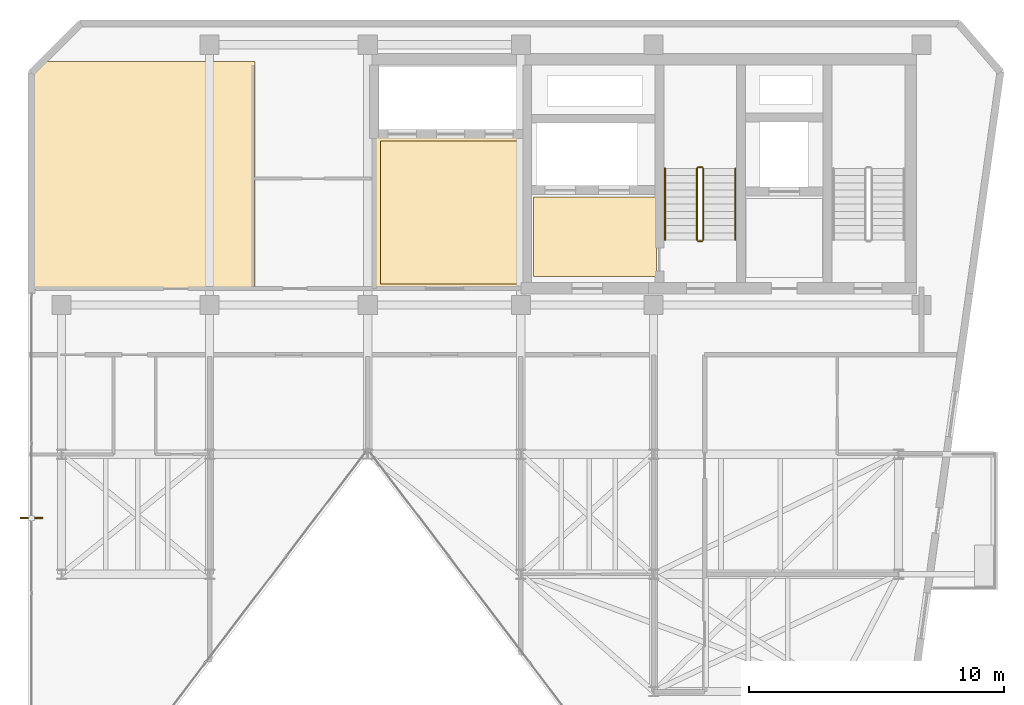
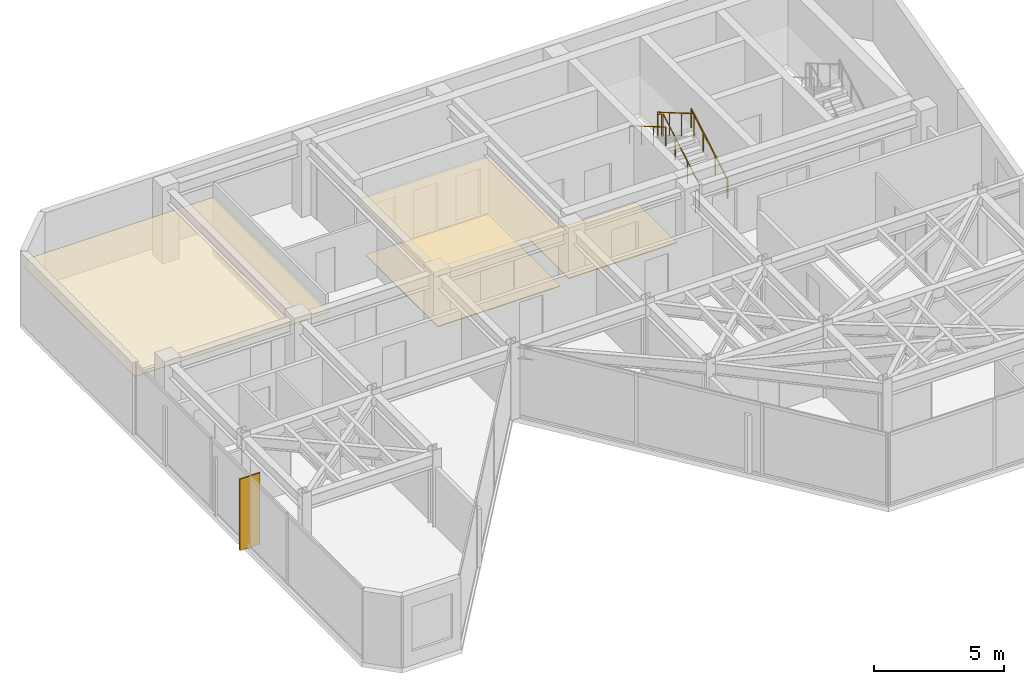
# One storey, part 16 of 17: 6 railings, 4 coverings, 1 shading device.
"""IFC4 building model written with IfcOpenShell, lengths in metres."""

from ifc_helpers import new_model, si_unit, direction, frame, origin, origin_2d, place, context, subcontext, project, spatial, polyline, rectangle, circle, outline, extrude, material, layer, layer_set, type_object, element, save


model = new_model("IFC4")

# Units and contexts
model_context = context("Model", 3, precision=1e-05, world=origin(), true_north=direction((0.0, 1.0)))
body_context = subcontext(model_context, "Body", "Model", "MODEL_VIEW")
ifc_project = project(units=[si_unit("LENGTHUNIT", "METRE"), si_unit("AREAUNIT", "SQUARE_METRE"), si_unit("VOLUMEUNIT", "CUBIC_METRE"), si_unit("PLANEANGLEUNIT", "RADIAN"), si_unit("MASSUNIT", "GRAM", prefix="KILO")], contexts=[model_context])

# Site, building, storey
site_placement = place(None, origin())
site = spatial("IfcSite", under=ifc_project, at=site_placement, CompositionType="ELEMENT")
building_placement = place(site_placement, origin())
building = spatial("IfcBuilding", under=site, at=building_placement, Name="Kravanh Interchange Tower", CompositionType="ELEMENT")
storey_placement = place(building_placement, frame((0.0, 0.0, 289.5)))
storey = spatial("IfcBuildingStorey", under=building, at=storey_placement, Name="L71", CompositionType="ELEMENT", Elevation=289.5)

# Coverings
ifc_material_1 = material(Name="Cementitious Terrazzo Tile")
ifc_layer_1 = layer(ifc_material_1, 0.030029296875)
ifc_layer_set_1 = layer_set([ifc_layer_1], Name="Honed Terrazzo Lobby Flooring 30mm")
covering_type_1 = type_object("IfcCoveringType", Name="Honed Terrazzo Lobby Flooring 30mm", PredefinedType="FLOORING", material=ifc_layer_set_1)
covering_1_placement = place(storey_placement, origin())
element("IfcCovering", 1, at=covering_1_placement, inside=storey, type_object=covering_type_1, Name="L71 Firefighting Lobby Floor Finish", PredefinedType="FLOORING", context=body_context, shape_type="SweptSolid", body=[
    extrude(outline(polyline([(56.1201171875, 38.4599609375), (51.300048828125, 38.4599609375), (51.300048828125, 41.580078125), (56.1201171875, 41.580078125), (56.1201171875, 38.4599609375)])), origin(), (0.0, 0.0, 1.0), 0.030029296875),
])
covering_2_placement = place(storey_placement, origin())
element("IfcCovering", 2, at=covering_2_placement, inside=storey, type_object=covering_type_1, Name="L71 High-Rise Lift Lobby Floor Finish", PredefinedType="FLOORING", context=body_context, shape_type="SweptSolid", body=[
    extrude(outline(polyline([(45.300048828125, 43.77001953125), (50.77001953125, 43.77001953125), (50.77001953125, 38.179931640625), (45.300048828125, 38.179931640625), (45.300048828125, 43.77001953125)])), origin(), (0.0, 0.0, 1.0), 0.030029296875),
])
ifc_material_2 = material(Name="Anodised Bronze Aluminium Acoustic Baffle", Category="aluminium")
ifc_layer_2 = layer(ifc_material_2, 0.034912109375)
ifc_layer_set_2 = layer_set([ifc_layer_2], Name="Linear Bronze Baffle Feature Ceiling 35mm")
covering_type_2 = type_object("IfcCoveringType", Name="Linear Bronze Baffle Feature Ceiling 35mm", PredefinedType="CEILING", material=ifc_layer_set_2)
covering_3_placement = place(storey_placement, frame((0.0, 0.0, 2.550048828125)))
element("IfcCovering", 3, at=covering_3_placement, inside=storey, type_object=covering_type_2, Name="L71 Spa Relaxation Salon Lounge Suspended Ceiling", PredefinedType="CEILING", context=body_context, shape_type="SweptSolid", body=[
    extrude(outline(polyline([(40.3798828125, 37.9599609375), (31.679931640625, 37.9599609375), (31.679931640625, 46.42529296875), (32.14453125, 46.889892578125), (40.3798828125, 46.889892578125), (40.3798828125, 37.9599609375)])), origin(), (0.0, 0.0, 1.0), 0.034912109375),
])
ifc_material_3 = material(Name="Acoustic Mineral Fibre Tile on Aluminium Grid", Category="aluminium")
ifc_layer_3 = layer(ifc_material_3, 0.02490234375)
ifc_layer_set_3 = layer_set([ifc_layer_3], Name="Perforated Acoustic Mineral Ceiling 25mm")
covering_type_3 = type_object("IfcCoveringType", Name="Perforated Acoustic Mineral Ceiling 25mm", PredefinedType="CEILING", material=ifc_layer_set_3)
covering_4_placement = place(storey_placement, frame((0.0, 0.0, 2.550048828125)))
element("IfcCovering", 4, at=covering_4_placement, inside=storey, type_object=covering_type_3, Name="L71 High-Rise Lift Lobby Suspended Ceiling", PredefinedType="CEILING", context=body_context, shape_type="SweptSolid", body=[
    extrude(outline(polyline([(50.989990234375, 37.9599609375), (45.080078125, 37.9599609375), (45.080078125, 43.989990234375), (50.989990234375, 43.989990234375), (50.989990234375, 37.9599609375)])), origin(), (0.0, 0.0, 1.0), 0.02490234375),
])

# Railings
ifc_material_4 = material(Name="Structural Steel S355", Category="steel")
ifc_layer_4 = layer(ifc_material_4, 0.050048828125)
ifc_layer_set_4 = layer_set([ifc_layer_4], Name="Stair Well Guardrail Structural Steel S355 1100mm")
railing_type_1 = type_object("IfcRailingType", Name="Stair Well Guardrail Structural Steel S355 1100mm", PredefinedType="GUARDRAIL", material=ifc_layer_set_4)
railing_1_placement = place(storey_placement, frame((57.949951171875, 39.89990234375, 0.16357421875)))
element("IfcRailing", 5, at=railing_1_placement, inside=storey, type_object=railing_type_1, Name="L71 ST2 stair guard 1", PredefinedType="GUARDRAIL", context=body_context, shape_type="SweptSolid", body=[
    extrude(circle(Radius=0.02392578125, at=origin_2d()), frame((0.0, 0.0, 1.076171875), z_axis=(0.0, 0.863360870873, 0.504586966384), x_axis=(-1.0, 0.0, 0.0)), (0.0, 0.0, 1.0), 3.2431640625),
    extrude(circle(Radius=0.02099609375, at=origin_2d()), origin(), (0.0, 0.0, 1.0), 1.052001953125),
    extrude(circle(Radius=0.02099609375, at=origin_2d()), frame((0.0, 0.933349609375, 0.54541015625)), (0.0, 0.0, 1.0), 1.052001953125),
    extrude(circle(Radius=0.02099609375, at=origin_2d()), frame((0.0, 1.86669921875, 1.091064453125)), (0.0, 0.0, 1.0), 1.052001953125),
    extrude(circle(Radius=0.02099609375, at=origin_2d()), frame((0.0, 2.800048828125, 1.636474609375)), (0.0, 0.0, 1.0), 1.052001953125),
])
railing_2_placement = place(storey_placement, frame((57.89990234375, 42.75, 1.800048828125)))
element("IfcRailing", 6, at=railing_2_placement, inside=storey, type_object=railing_type_1, Name="L71 ST2 stair guard 2", PredefinedType="GUARDRAIL", context=body_context, shape_type="SweptSolid", body=[
    extrude(circle(Radius=0.02392578125, at=origin_2d()), frame((0.0, 0.0, 1.076171875), z_axis=(-1.0, 0.0, 0.0), x_axis=(0.0, -1.0, 0.0)), (0.0, 0.0, 1.0), 0.14990234375),
    extrude(circle(Radius=0.02099609375, at=origin_2d()), origin(), (0.0, 0.0, 1.0), 1.052001953125),
    extrude(circle(Radius=0.02099609375, at=origin_2d()), frame((-0.14990234375, 0.0, 0.0)), (0.0, 0.0, 1.0), 1.052001953125),
])
railing_3_placement = place(storey_placement, frame((57.699951171875, 42.699951171875, 1.963623046875)))
element("IfcRailing", 7, at=railing_3_placement, inside=storey, type_object=railing_type_1, Name="L71 ST2 stair guard 3", PredefinedType="GUARDRAIL", context=body_context, shape_type="SweptSolid", body=[
    extrude(circle(Radius=0.02392578125, at=origin_2d()), frame((0.0, 0.0, 1.076171875), z_axis=(0.0, -0.863360870873, 0.504586966384), x_axis=(1.0, 0.0, 0.0)), (0.0, 0.0, 1.0), 3.2431640625),
    extrude(circle(Radius=0.02099609375, at=origin_2d()), origin(), (0.0, 0.0, 1.0), 1.052001953125),
    extrude(circle(Radius=0.02099609375, at=origin_2d()), frame((0.0, -0.933349609375, 0.54541015625)), (0.0, 0.0, 1.0), 1.052001953125),
    extrude(circle(Radius=0.02099609375, at=origin_2d()), frame((0.0, -1.86669921875, 1.091064453125)), (0.0, 0.0, 1.0), 1.052001953125),
    extrude(circle(Radius=0.02099609375, at=origin_2d()), frame((0.0, -2.800048828125, 1.636474609375)), (0.0, 0.0, 1.0), 1.052001953125),
])
railing_4_placement = place(storey_placement, frame((57.89990234375, 39.85009765625, 0.0)))
element("IfcRailing", 8, at=railing_4_placement, inside=storey, type_object=railing_type_1, Name="L71 ST2 stair guard 4", PredefinedType="GUARDRAIL", context=body_context, shape_type="SweptSolid", body=[
    extrude(circle(Radius=0.02392578125, at=origin_2d()), frame((0.0, 0.0, 1.076171875), z_axis=(-1.0, 0.0, 0.0), x_axis=(0.0, -1.0, 0.0)), (0.0, 0.0, 1.0), 0.14990234375),
    extrude(circle(Radius=0.02099609375, at=origin_2d()), origin(), (0.0, 0.0, 1.0), 1.052001953125),
    extrude(circle(Radius=0.02099609375, at=origin_2d()), frame((-0.14990234375, 0.0, 0.0)), (0.0, 0.0, 1.0), 1.052001953125),
])
ifc_material_5 = material(Name="Stainless Steel 304", Category="steel")
ifc_layer_5 = layer(ifc_material_5, 0.044921875)
ifc_layer_set_5 = layer_set([ifc_layer_5], Name="Tubular Stair Handrail Stainless 304 900mm")
railing_type_2 = type_object("IfcRailingType", Name="Tubular Stair Handrail Stainless 304 900mm", PredefinedType="HANDRAIL", material=ifc_layer_set_5)
railing_5_placement = place(storey_placement, frame((59.199951171875, 39.89990234375, 0.16357421875)))
element("IfcRailing", 9, at=railing_5_placement, inside=storey, type_object=railing_type_2, Name="L71 ST2 stair handrail 1", PredefinedType="HANDRAIL", context=body_context, shape_type="SweptSolid", body=[
    extrude(circle(Radius=0.02392578125, at=origin_2d()), frame((0.0, 0.0, 0.8759765625), z_axis=(0.0, 0.863360870873, 0.504586966384), x_axis=(-1.0, 0.0, 0.0)), (0.0, 0.0, 1.0), 3.2431640625),
    extrude(circle(Radius=0.02099609375, at=origin_2d()), origin(), (0.0, 0.0, 1.0), 0.851806640625),
    extrude(circle(Radius=0.02099609375, at=origin_2d()), frame((0.0, 0.933349609375, 0.54541015625)), (0.0, 0.0, 1.0), 0.851806640625),
    extrude(circle(Radius=0.02099609375, at=origin_2d()), frame((0.0, 1.86669921875, 1.091064453125)), (0.0, 0.0, 1.0), 0.851806640625),
    extrude(circle(Radius=0.02099609375, at=origin_2d()), frame((0.0, 2.800048828125, 1.636474609375)), (0.0, 0.0, 1.0), 0.851806640625),
])
railing_6_placement = place(storey_placement, frame((56.449951171875, 42.699951171875, 1.963623046875)))
element("IfcRailing", 10, at=railing_6_placement, inside=storey, type_object=railing_type_2, Name="L71 ST2 stair handrail 2", PredefinedType="HANDRAIL", context=body_context, shape_type="SweptSolid", body=[
    extrude(circle(Radius=0.02392578125, at=origin_2d()), frame((0.0, 0.0, 0.8759765625), z_axis=(0.0, -0.863360870873, 0.504586966384), x_axis=(1.0, 0.0, 0.0)), (0.0, 0.0, 1.0), 3.2431640625),
    extrude(circle(Radius=0.02099609375, at=origin_2d()), origin(), (0.0, 0.0, 1.0), 0.851806640625),
    extrude(circle(Radius=0.02099609375, at=origin_2d()), frame((0.0, -0.933349609375, 0.54541015625)), (0.0, 0.0, 1.0), 0.851806640625),
    extrude(circle(Radius=0.02099609375, at=origin_2d()), frame((0.0, -1.86669921875, 1.091064453125)), (0.0, 0.0, 1.0), 0.851806640625),
    extrude(circle(Radius=0.02099609375, at=origin_2d()), frame((0.0, -2.800048828125, 1.636474609375)), (0.0, 0.0, 1.0), 0.851806640625),
])

# Shading device
ifc_material_6 = material(Name="Anodised Champagne Bronze Aluminium", Category="aluminium")
ifc_layer_6 = layer(ifc_material_6, 0.06005859375)
ifc_layer_set_6 = layer_set([ifc_layer_6], Name="Vertical Bronze Solar Fin 900mm")
shading_device_type = type_object("IfcShadingDeviceType", Name="Vertical Bronze Solar Fin 900mm", PredefinedType="USERDEFINED", material=ifc_layer_set_6)
shading_device_placement = place(storey_placement, frame((31.6201171875, 28.994873046875, 0.0), z_axis=(0.0, 0.0, 1.0), x_axis=(-1.0, 0.0, 0.0)))
element("IfcShadingDevice", 11, at=shading_device_placement, inside=storey, type_object=shading_device_type, Name="L71 BRONZE SOLAR FIN 1", ObjectType="FIN", PredefinedType="USERDEFINED", context=body_context, shape_type="SweptSolid", body=[
    extrude(rectangle(XDim=0.89990234375, YDim=0.06005859375, at=origin_2d()), origin(), (0.0, 0.0, 1.0), 3.364990234375),
])

save(model, "model.ifc")
